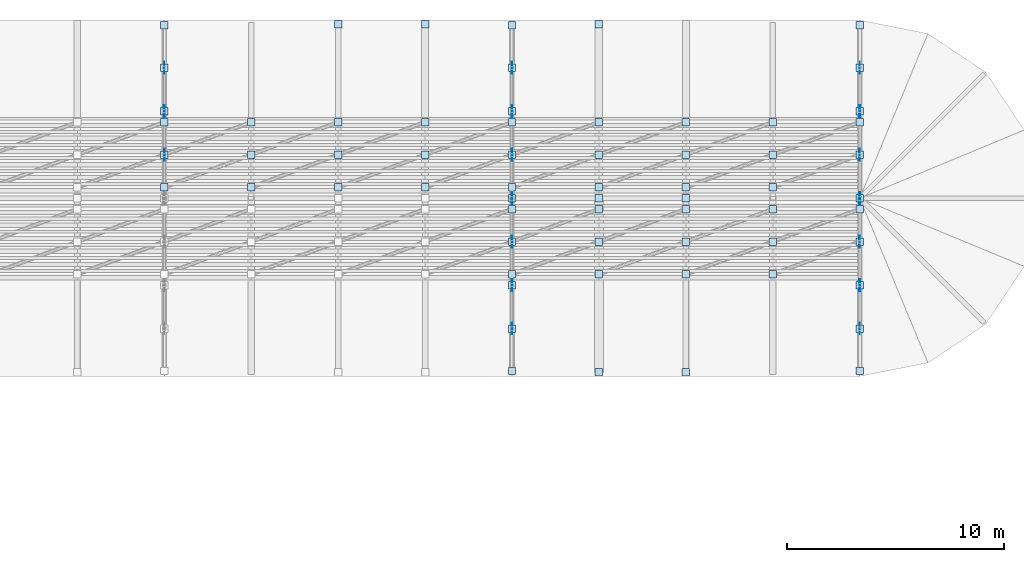
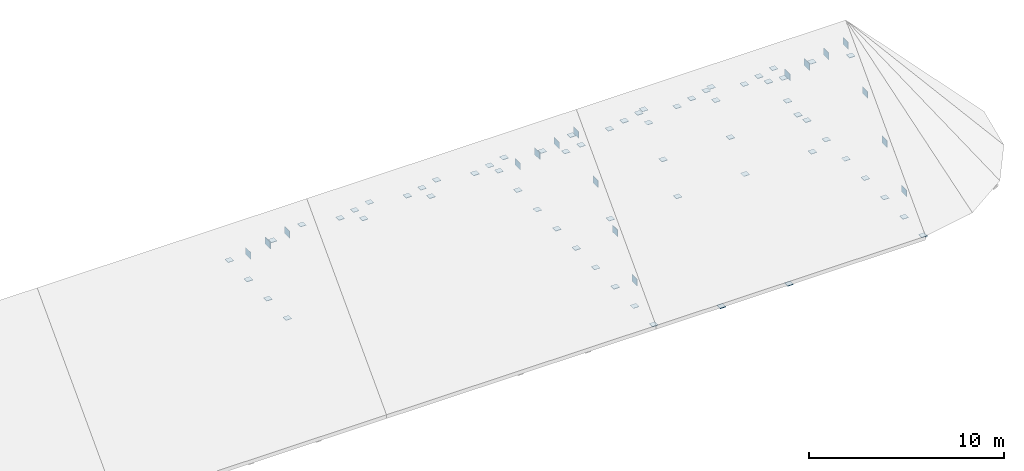
# One storey, part 17 of 18: 81 plates.
"""IFC4 building model written with IfcOpenShell, lengths in metres."""

from ifc_helpers import new_model, si_unit, direction, frame, origin, origin_2d, place, context, subcontext, project, spatial, rectangle, extrude, material, layer, layer_set, type_object, element, save


model = new_model("IFC4")

# Units and contexts
model_context = context("Model", 3, precision=1e-05, world=origin(), true_north=direction((0.0, 1.0)))
body_context = subcontext(model_context, "Body", "Model", "MODEL_VIEW")
ifc_project = project(units=[si_unit("LENGTHUNIT", "METRE"), si_unit("AREAUNIT", "SQUARE_METRE"), si_unit("VOLUMEUNIT", "CUBIC_METRE"), si_unit("PLANEANGLEUNIT", "RADIAN"), si_unit("MASSUNIT", "GRAM", prefix="KILO")], contexts=[model_context])

# Site, building, storey
site_placement = place(None, origin())
site = spatial("IfcSite", under=ifc_project, at=site_placement, CompositionType="ELEMENT")
building_placement = place(site_placement, origin())
building = spatial("IfcBuilding", under=site, at=building_placement, Name="Serraluz Foothill Cableway Terminal", CompositionType="ELEMENT")
storey_placement = place(building_placement, frame((0.0, 0.0, 24.300048828125)))
storey = spatial("IfcBuildingStorey", under=building, at=storey_placement, Name="RF", CompositionType="ELEMENT", Elevation=24.300048828125)

# Plates
ifc_material = material(Name="Steel ASTM A572 Grade 50", Category="steel")
ifc_layer_1 = layer(ifc_material, 0.02001953125, Name="Steel ASTM A572 Grade 50", Category="steel")
ifc_layer_set_1 = layer_set([ifc_layer_1], Name="Steel ASTM A572 Grade 50")
plate_type_1 = type_object("IfcPlateType", Name="TYP-PL-GUS-20", PredefinedType="USERDEFINED", material=ifc_layer_set_1)
for number, where, z_axis, x_axis, name in (
    (1, (120.0, 70.0, -3.195068359375), (0.0, 0.0, 1.0), (1.0, 0.0, 0.0), "Truss Node Gusset Plate PL-GP-0042"),
    (2, (136.0, 58.0, -3.195068359375), (0.0, 0.0, 1.0), (1.0, 0.0, 0.0), "Truss Node Gusset Plate PL-GP-0043"),
    (3, (136.0, 70.0, -3.195068359375), (0.0, 0.0, 1.0), (1.0, 0.0, 0.0), "Truss Node Gusset Plate PL-GP-0049"),
    (4, (152.0, 58.0, -3.195068359375), (0.0, 0.0, 1.0), (1.0, 0.0, 0.0), "Truss Node Gusset Plate PL-GP-0050"),
    (5, (152.0, 70.0, -3.195068359375), (0.0, 0.0, 1.0), (1.0, 0.0, 0.0), "Truss Node Gusset Plate PL-GP-0056"),
):
    element("IfcPlate", number, at=place(storey_placement, frame(where, z_axis=z_axis, x_axis=x_axis)), inside=storey, type_object=plate_type_1, Name=name, ObjectType="GUSSET_PLATE", PredefinedType="USERDEFINED", context=body_context, shape_type="SweptSolid", body=[
        extrude(rectangle(XDim=0.02001953125, YDim=0.5400390625, at=origin_2d()), origin(), (0.0, 0.0, 1.0), 0.419921875),
    ])
for number, where, z_axis, x_axis, name in (
    (6, (120.0, 66.0, -4.6201171875), (0.0, 0.0, 1.0), (1.0, 0.0, 0.0), "Brace End Gusset Plate PL-END-0060"),
    (7, (136.0, 62.0, -4.6201171875), (0.0, 0.0, 1.0), (1.0, 0.0, 0.0), "Brace End Gusset Plate PL-END-0069"),
    (8, (136.0, 68.0, -4.6201171875), (0.0, 0.0, 1.0), (1.0, 0.0, 0.0), "Brace End Gusset Plate PL-END-0072"),
    (9, (136.0, 71.95263671875, -4.593017578125), (0.0, 0.0, 1.0), (1.0, 0.0, 0.0), "Brace End Gusset Plate PL-END-0075"),
    (10, (152.0, 58.0, -4.6201171875), (0.0, 0.0, 1.0), (1.0, 0.0, 0.0), "Brace End Gusset Plate PL-END-0078"),
    (11, (152.0, 64.0, -4.6201171875), (0.0, 0.0, 1.0), (1.0, 0.0, 0.0), "Brace End Gusset Plate PL-END-0081"),
    (12, (152.0, 70.0, -4.6201171875), (0.0, 0.0, 1.0), (1.0, 0.0, 0.0), "Brace End Gusset Plate PL-END-0084"),
    (13, (140.0, 64.0, 2.68994140625), (0.0, 0.0, 1.0), (1.0, 0.0, 0.0), "Brace End Gusset Plate PL-END-0129"),
    (14, (144.0, 64.0, 2.68994140625), (0.0, 0.0, 1.0), (1.0, 0.0, 0.0), "Brace End Gusset Plate PL-END-0132"),
    (15, (120.0, 64.5, 2.1611328125), (0.0, 0.0, 1.0), (1.0, 0.0, 0.0), "Brace End Gusset Plate PL-END-0246"),
    (16, (124.0, 64.5, 2.1611328125), (0.0, 0.0, 1.0), (1.0, 0.0, 0.0), "Brace End Gusset Plate PL-END-0252"),
    (17, (128.0, 64.5, 2.1611328125), (0.0, 0.0, 1.0), (1.0, 0.0, 0.0), "Brace End Gusset Plate PL-END-0258"),
    (18, (136.0, 67.5, -0.6513671875), (0.0, 0.0, 1.0), (1.0, 0.0, 0.0), "Brace End Gusset Plate PL-END-0264"),
    (19, (140.0, 63.5, 2.1611328125), (0.0, 0.0, 1.0), (1.0, 0.0, 0.0), "Brace End Gusset Plate PL-END-0267"),
    (20, (140.0, 67.5, -0.6513671875), (0.0, 0.0, 1.0), (1.0, 0.0, 0.0), "Brace End Gusset Plate PL-END-0270"),
    (21, (144.0, 63.5, 2.1611328125), (0.0, 0.0, 1.0), (1.0, 0.0, 0.0), "Brace End Gusset Plate PL-END-0273"),
    (22, (144.0, 67.5, -0.6513671875), (0.0, 0.0, 1.0), (1.0, 0.0, 0.0), "Brace End Gusset Plate PL-END-0276"),
    (23, (148.0, 63.5, 2.1611328125), (0.0, 0.0, 1.0), (1.0, 0.0, 0.0), "Brace End Gusset Plate PL-END-0279"),
    (24, (148.0, 67.5, -0.6513671875), (0.0, 0.0, 1.0), (1.0, 0.0, 0.0), "Brace End Gusset Plate PL-END-0282"),
    (25, (148.0, 64.5, 2.1611328125), (0.0, 0.0, 1.0), (1.0, 0.0, 0.0), "Brace End Gusset Plate PL-END-0285"),
):
    element("IfcPlate", number, at=place(storey_placement, frame(where, z_axis=z_axis, x_axis=x_axis)), inside=storey, type_object=plate_type_1, Name=name, ObjectType="GUSSET_PLATE", PredefinedType="USERDEFINED", context=body_context, shape_type="SweptSolid", body=[
        extrude(rectangle(XDim=0.340087890625, YDim=0.340087890625, at=origin_2d()), origin(), (0.0, 0.0, 1.0), 0.02001953125),
    ])
ifc_layer_2 = layer(ifc_material, 0.02392578125, Name="Steel ASTM A572 Grade 50", Category="steel")
ifc_layer_set_2 = layer_set([ifc_layer_2], Name="Steel ASTM A572 Grade 50")
plate_type_2 = type_object("IfcPlateType", Name="TYP-PL-GUS-24", PredefinedType="USERDEFINED", material=ifc_layer_set_2)
for number, where, z_axis, x_axis, name in (
    (26, (120.0, 66.0, 0.554931640625), (0.0, 0.0, 1.0), (1.0, 0.0, 0.0), "Truss Node Gusset Plate PL-GP-0040"),
    (27, (136.0, 62.0, 0.554931640625), (0.0, 0.0, 1.0), (1.0, 0.0, 0.0), "Truss Node Gusset Plate PL-GP-0045"),
    (28, (136.0, 66.0, 0.554931640625), (0.0, 0.0, 1.0), (1.0, 0.0, 0.0), "Truss Node Gusset Plate PL-GP-0047"),
    (29, (152.0, 62.0, 0.554931640625), (0.0, 0.0, 1.0), (1.0, 0.0, 0.0), "Truss Node Gusset Plate PL-GP-0052"),
    (30, (152.0, 66.0, 0.554931640625), (0.0, 0.0, 1.0), (1.0, 0.0, 0.0), "Truss Node Gusset Plate PL-GP-0054"),
):
    element("IfcPlate", number, at=place(storey_placement, frame(where, z_axis=z_axis, x_axis=x_axis)), inside=storey, type_object=plate_type_2, Name=name, ObjectType="GUSSET_PLATE", PredefinedType="USERDEFINED", context=body_context, shape_type="SweptSolid", body=[
        extrude(rectangle(XDim=0.02392578125, YDim=0.5400390625, at=origin_2d()), origin(), (0.0, 0.0, 1.0), 0.419921875),
    ])
for number, where, z_axis, x_axis, name in (
    (31, (120.0, 68.0, -4.6220703125), (0.0, 0.0, 1.0), (1.0, 0.0, 0.0), "Brace End Gusset Plate PL-END-0061"),
    (32, (120.0, 71.95263671875, -4.594970703125), (0.0, 0.0, 1.0), (1.0, 0.0, 0.0), "Brace End Gusset Plate PL-END-0064"),
    (33, (136.0, 58.0, -4.6220703125), (0.0, 0.0, 1.0), (1.0, 0.0, 0.0), "Brace End Gusset Plate PL-END-0067"),
    (34, (136.0, 64.0, -4.6220703125), (0.0, 0.0, 1.0), (1.0, 0.0, 0.0), "Brace End Gusset Plate PL-END-0070"),
    (35, (136.0, 70.0, -4.6220703125), (0.0, 0.0, 1.0), (1.0, 0.0, 0.0), "Brace End Gusset Plate PL-END-0073"),
    (36, (152.0, 60.0, -4.6220703125), (0.0, 0.0, 1.0), (1.0, 0.0, 0.0), "Brace End Gusset Plate PL-END-0079"),
    (37, (152.0, 66.0, -4.6220703125), (0.0, 0.0, 1.0), (1.0, 0.0, 0.0), "Brace End Gusset Plate PL-END-0082"),
    (38, (152.0, 56.04736328125, -4.594970703125), (0.0, 0.0, 1.0), (1.0, 0.0, 0.0), "Brace End Gusset Plate PL-END-0085"),
    (39, (128.0, 72.0, -4.81201171875), (0.0, 0.0, 1.0), (1.0, 0.0, 0.0), "Brace End Gusset Plate PL-END-0124"),
    (40, (132.0, 72.0, -4.81201171875), (0.0, 0.0, 1.0), (1.0, 0.0, 0.0), "Brace End Gusset Plate PL-END-0127"),
    (41, (140.0, 72.0, -4.81201171875), (0.0, 0.0, 1.0), (1.0, 0.0, 0.0), "Brace End Gusset Plate PL-END-0130"),
    (42, (124.0, 66.0, 0.7529296875), (0.0, 0.0, 1.0), (1.0, 0.0, 0.0), "Brace End Gusset Plate PL-END-0247"),
    (43, (128.0, 66.0, 0.7529296875), (0.0, 0.0, 1.0), (1.0, 0.0, 0.0), "Brace End Gusset Plate PL-END-0253"),
    (44, (132.0, 66.0, 0.7529296875), (0.0, 0.0, 1.0), (1.0, 0.0, 0.0), "Brace End Gusset Plate PL-END-0259"),
    (45, (136.0, 63.5, 2.1591796875), (0.0, 0.0, 1.0), (1.0, 0.0, 0.0), "Brace End Gusset Plate PL-END-0262"),
    (46, (136.0, 60.5, -0.6533203125), (0.0, 0.0, 1.0), (1.0, 0.0, 0.0), "Brace End Gusset Plate PL-END-0265"),
    (47, (136.0, 64.5, 2.1591796875), (0.0, 0.0, 1.0), (1.0, 0.0, 0.0), "Brace End Gusset Plate PL-END-0268"),
    (48, (140.0, 60.5, -0.6533203125), (0.0, 0.0, 1.0), (1.0, 0.0, 0.0), "Brace End Gusset Plate PL-END-0271"),
    (49, (140.0, 64.5, 2.1591796875), (0.0, 0.0, 1.0), (1.0, 0.0, 0.0), "Brace End Gusset Plate PL-END-0274"),
    (50, (144.0, 60.5, -0.6533203125), (0.0, 0.0, 1.0), (1.0, 0.0, 0.0), "Brace End Gusset Plate PL-END-0277"),
    (51, (144.0, 64.5, 2.1591796875), (0.0, 0.0, 1.0), (1.0, 0.0, 0.0), "Brace End Gusset Plate PL-END-0280"),
    (52, (148.0, 60.5, -0.6533203125), (0.0, 0.0, 1.0), (1.0, 0.0, 0.0), "Brace End Gusset Plate PL-END-0283"),
    (53, (152.0, 67.5, -0.6533203125), (0.0, 0.0, 1.0), (1.0, 0.0, 0.0), "Brace End Gusset Plate PL-END-0286"),
):
    element("IfcPlate", number, at=place(storey_placement, frame(where, z_axis=z_axis, x_axis=x_axis)), inside=storey, type_object=plate_type_2, Name=name, ObjectType="GUSSET_PLATE", PredefinedType="USERDEFINED", context=body_context, shape_type="SweptSolid", body=[
        extrude(rectangle(XDim=0.340087890625, YDim=0.340087890625, at=origin_2d()), origin(), (0.0, 0.0, 1.0), 0.02392578125),
    ])
ifc_layer_3 = layer(ifc_material, 0.030029296875, Name="Steel ASTM A572 Grade 50", Category="steel")
ifc_layer_set_3 = layer_set([ifc_layer_3], Name="Steel ASTM A572 Grade 50")
plate_type_3 = type_object("IfcPlateType", Name="TYP-PL-GUS-30", PredefinedType="USERDEFINED", material=ifc_layer_set_3)
for number, where, z_axis, x_axis, name in (
    (54, (136.0, 64.0, 2.429931640625), (0.0, 0.0, 1.0), (1.0, 0.0, 0.0), "Truss Node Gusset Plate PL-GP-0046"),
    (55, (152.0, 64.0, 2.429931640625), (0.0, 0.0, 1.0), (1.0, 0.0, 0.0), "Truss Node Gusset Plate PL-GP-0053"),
):
    element("IfcPlate", number, at=place(storey_placement, frame(where, z_axis=z_axis, x_axis=x_axis)), inside=storey, type_object=plate_type_3, Name=name, ObjectType="GUSSET_PLATE", PredefinedType="USERDEFINED", context=body_context, shape_type="SweptSolid", body=[
        extrude(rectangle(XDim=0.030029296875, YDim=0.5400390625, at=origin_2d()), origin(), (0.0, 0.0, 1.0), 0.419921875),
    ])
for number, where, z_axis, x_axis, name in (
    (56, (120.0, 70.0, -4.625), (0.0, 0.0, 1.0), (1.0, 0.0, 0.0), "Brace End Gusset Plate PL-END-0062"),
    (57, (136.0, 60.0, -4.625), (0.0, 0.0, 1.0), (1.0, 0.0, 0.0), "Brace End Gusset Plate PL-END-0068"),
    (58, (136.0, 66.0, -4.625), (0.0, 0.0, 1.0), (1.0, 0.0, 0.0), "Brace End Gusset Plate PL-END-0071"),
    (59, (136.0, 56.04736328125, -4.59814453125), (0.0, 0.0, 1.0), (1.0, 0.0, 0.0), "Brace End Gusset Plate PL-END-0074"),
    (60, (152.0, 62.0, -4.625), (0.0, 0.0, 1.0), (1.0, 0.0, 0.0), "Brace End Gusset Plate PL-END-0080"),
    (61, (152.0, 68.0, -4.625), (0.0, 0.0, 1.0), (1.0, 0.0, 0.0), "Brace End Gusset Plate PL-END-0083"),
    (62, (152.0, 71.95263671875, -4.59814453125), (0.0, 0.0, 1.0), (1.0, 0.0, 0.0), "Brace End Gusset Plate PL-END-0086"),
    (63, (140.0, 56.0, -4.81494140625), (0.0, 0.0, 1.0), (1.0, 0.0, 0.0), "Brace End Gusset Plate PL-END-0128"),
    (64, (144.0, 56.0, -4.81494140625), (0.0, 0.0, 1.0), (1.0, 0.0, 0.0), "Brace End Gusset Plate PL-END-0131"),
    (65, (120.0, 67.5, -0.65625), (0.0, 0.0, 1.0), (1.0, 0.0, 0.0), "Brace End Gusset Plate PL-END-0242"),
    (66, (124.0, 67.5, -0.65625), (0.0, 0.0, 1.0), (1.0, 0.0, 0.0), "Brace End Gusset Plate PL-END-0248"),
    (67, (128.0, 67.5, -0.65625), (0.0, 0.0, 1.0), (1.0, 0.0, 0.0), "Brace End Gusset Plate PL-END-0254"),
    (68, (132.0, 67.5, -0.65625), (0.0, 0.0, 1.0), (1.0, 0.0, 0.0), "Brace End Gusset Plate PL-END-0260"),
    (69, (132.0, 64.5, 2.15625), (0.0, 0.0, 1.0), (1.0, 0.0, 0.0), "Brace End Gusset Plate PL-END-0263"),
    (70, (140.0, 62.0, 0.75), (0.0, 0.0, 1.0), (1.0, 0.0, 0.0), "Brace End Gusset Plate PL-END-0266"),
    (71, (140.0, 66.0, 0.75), (0.0, 0.0, 1.0), (1.0, 0.0, 0.0), "Brace End Gusset Plate PL-END-0269"),
    (72, (144.0, 62.0, 0.75), (0.0, 0.0, 1.0), (1.0, 0.0, 0.0), "Brace End Gusset Plate PL-END-0272"),
    (73, (144.0, 66.0, 0.75), (0.0, 0.0, 1.0), (1.0, 0.0, 0.0), "Brace End Gusset Plate PL-END-0275"),
    (74, (148.0, 62.0, 0.75), (0.0, 0.0, 1.0), (1.0, 0.0, 0.0), "Brace End Gusset Plate PL-END-0278"),
    (75, (148.0, 66.0, 0.75), (0.0, 0.0, 1.0), (1.0, 0.0, 0.0), "Brace End Gusset Plate PL-END-0281"),
    (76, (152.0, 63.5, 2.15625), (0.0, 0.0, 1.0), (1.0, 0.0, 0.0), "Brace End Gusset Plate PL-END-0284"),
):
    element("IfcPlate", number, at=place(storey_placement, frame(where, z_axis=z_axis, x_axis=x_axis)), inside=storey, type_object=plate_type_3, Name=name, ObjectType="GUSSET_PLATE", PredefinedType="USERDEFINED", context=body_context, shape_type="SweptSolid", body=[
        extrude(rectangle(XDim=0.340087890625, YDim=0.340087890625, at=origin_2d()), origin(), (0.0, 0.0, 1.0), 0.030029296875),
    ])
ifc_layer_4 = layer(ifc_material, 0.035888671875, Name="Steel ASTM A572 Grade 50", Category="steel")
ifc_layer_set_4 = layer_set([ifc_layer_4], Name="Steel ASTM A572 Grade 50")
plate_type_4 = type_object("IfcPlateType", Name="TYP-PL-GUS-36", PredefinedType="USERDEFINED", material=ifc_layer_set_4)
for number, where, z_axis, x_axis, name in (
    (77, (120.0, 68.0, -1.320068359375), (0.0, 0.0, 1.0), (1.0, 0.0, 0.0), "Truss Node Gusset Plate PL-GP-0041"),
    (78, (136.0, 60.0, -1.320068359375), (0.0, 0.0, 1.0), (1.0, 0.0, 0.0), "Truss Node Gusset Plate PL-GP-0044"),
    (79, (136.0, 68.0, -1.320068359375), (0.0, 0.0, 1.0), (1.0, 0.0, 0.0), "Truss Node Gusset Plate PL-GP-0048"),
    (80, (152.0, 60.0, -1.320068359375), (0.0, 0.0, 1.0), (1.0, 0.0, 0.0), "Truss Node Gusset Plate PL-GP-0051"),
    (81, (152.0, 68.0, -1.320068359375), (0.0, 0.0, 1.0), (1.0, 0.0, 0.0), "Truss Node Gusset Plate PL-GP-0055"),
):
    element("IfcPlate", number, at=place(storey_placement, frame(where, z_axis=z_axis, x_axis=x_axis)), inside=storey, type_object=plate_type_4, Name=name, ObjectType="GUSSET_PLATE", PredefinedType="USERDEFINED", context=body_context, shape_type="SweptSolid", body=[
        extrude(rectangle(XDim=0.035888671875, YDim=0.5400390625, at=origin_2d()), origin(), (0.0, 0.0, 1.0), 0.419921875),
    ])

save(model, "model.ifc")
